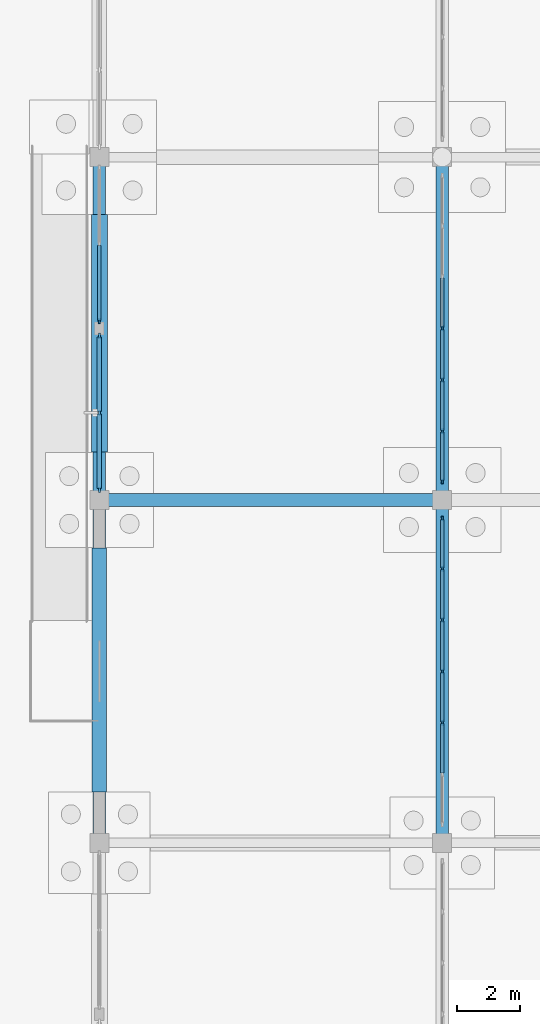
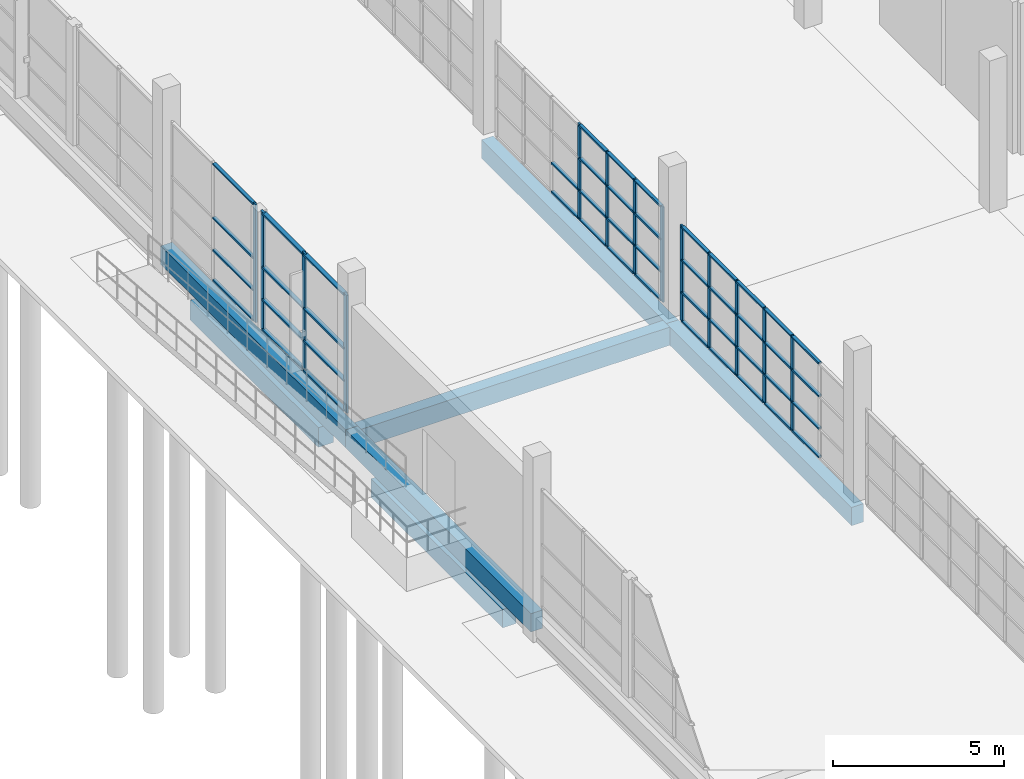
# One storey, part 24 of 138: 59 members, 7 beams, 4 elements without a shape of their own.
"""IFC4 building model written with IfcOpenShell, lengths in metres."""

from ifc_helpers import new_model, si_unit, direction, frame, origin, origin_2d, place, context, subcontext, project, spatial, rectangle, extrude, material, material_profile, profile_set, type_object, element, aggregate, save


model = new_model("IFC4")

# Units and contexts
model_context = context("Model", 3, precision=1e-05, world=origin(), true_north=direction((0.0, 1.0)))
body_context = subcontext(model_context, "Body", "Model", "MODEL_VIEW")
ifc_project = project(units=[si_unit("LENGTHUNIT", "METRE"), si_unit("AREAUNIT", "SQUARE_METRE"), si_unit("VOLUMEUNIT", "CUBIC_METRE"), si_unit("PLANEANGLEUNIT", "RADIAN"), si_unit("MASSUNIT", "GRAM", prefix="KILO")], contexts=[model_context])

# Site, building, storey
site_placement = place(None, origin())
site = spatial("IfcSite", under=ifc_project, at=site_placement, CompositionType="ELEMENT")
building_placement = place(site_placement, origin())
building = spatial("IfcBuilding", under=site, at=building_placement, Name="Zwinboog Wholesale Market", CompositionType="ELEMENT")
storey_placement = place(building_placement, origin())
storey = spatial("IfcBuildingStorey", under=building, at=storey_placement, Name="L00", CompositionType="ELEMENT", Elevation=0.0)

# Beams
ifc_material_1 = material(Name="Precast concrete C45/55", Category="concrete")
ifc_material_profile_1 = material_profile(ifc_material_1, rectangle(XDim=0.39990234375, YDim=0.64990234375, at=origin_2d()), Name="PC 400x650")
ifc_profile_set_1 = profile_set([ifc_material_profile_1], Name="Precast concrete C45/55")
beam_type_1 = type_object("IfcBeamType", Name="BT-05", PredefinedType="BEAM", material=ifc_profile_set_1)
for number, where, z_axis, x_axis, name in (
    (1, (0.0, 54.0, -0.705078125), (1.0, 0.0, 0.0), (0.0, 1.0, 0.0), "BG-05 (BMG-L00-0000-0540-0069)"),
    (2, (0.0, 43.199951171875, -0.705078125), (0.0, 1.0, 0.0), (-1.0, 0.0, 0.0), "BG-05 (BMG-L00-0000-0432-0215)"),
    (3, (0.0, 54.0, -0.705078125), (0.0, 1.0, 0.0), (-1.0, 0.0, 0.0), "BG-05 (BMG-L00-0000-0540-0216)"),
    (4, (10.800048828125, 43.199951171875, -0.705078125), (0.0, 1.0, 0.0), (-1.0, 0.0, 0.0), "BG-05 (BMG-L00-0108-0432-0227)"),
    (5, (10.800048828125, 54.0, -0.705078125), (0.0, 1.0, 0.0), (-1.0, 0.0, 0.0), "BG-05 (BMG-L00-0108-0540-0228)"),
):
    element("IfcBeam", number, at=place(storey_placement, frame(where, z_axis=z_axis, x_axis=x_axis)), inside=storey, type_object=beam_type_1, Name=name, PredefinedType="BEAM", context=body_context, shape_type="SweptSolid", body=[
        extrude(rectangle(XDim=0.39990234375, YDim=0.64990234375, at=origin_2d()), origin(), (0.0, 0.0, 1.0), 10.800048828125),
    ])
ifc_material_2 = material(Name="Concrete C35/45", Category="concrete")
ifc_material_profile_2 = material_profile(ifc_material_2, rectangle(XDim=0.5, YDim=0.699951171875, at=origin_2d()), Name="RC 500x700")
ifc_profile_set_2 = profile_set([ifc_material_profile_2], Name="Concrete C35/45")
beam_type_2 = type_object("IfcBeamType", Name="BT-12", PredefinedType="USERDEFINED", material=ifc_profile_set_2)
beam_1_placement = place(storey_placement, frame((0.0, 55.5048828125, -1.550048828125), z_axis=(0.0, 1.0, 0.0), x_axis=(-1.0, 0.0, 0.0)))
element("IfcBeam", 6, at=beam_1_placement, inside=storey, type_object=beam_type_2, Name="GB-01 (BM-GB-0132)", ObjectType="GROUND_BEAM", PredefinedType="USERDEFINED", context=body_context, shape_type="SweptSolid", body=[
    extrude(rectangle(XDim=0.5, YDim=0.699951171875, at=origin_2d()), origin(), (0.0, 0.0, 1.0), 7.490234375),
])
ifc_material_profile_3 = material_profile(ifc_material_2, rectangle(XDim=0.449951171875, YDim=0.64990234375, at=origin_2d()), Name="RC 450x650")
ifc_profile_set_3 = profile_set([ifc_material_profile_3], Name="Concrete C35/45")
beam_type_3 = type_object("IfcBeamType", Name="BT-13", PredefinedType="USERDEFINED", material=ifc_profile_set_3)
beam_2_placement = place(storey_placement, frame((0.0, 44.804931640625, -1.52490234375), z_axis=(0.0, 1.0, 0.0), x_axis=(-1.0, 0.0, 0.0)))
element("IfcBeam", 7, at=beam_2_placement, inside=storey, type_object=beam_type_3, Name="GB-02 (BM-GB-0131)", ObjectType="GROUND_BEAM", PredefinedType="USERDEFINED", context=body_context, shape_type="SweptSolid", body=[
    extrude(rectangle(XDim=0.449951171875, YDim=0.64990234375, at=origin_2d()), origin(), (0.0, 0.0, 1.0), 7.690185546875),
])

# Curtain wall, members
ifc_material_3 = material(Name="Aluminium thermally broken curtain wall", Category="aluminium")
curtain_wall_type_1 = type_object("IfcCurtainWallType", Name="CWT-HALL-24", PredefinedType="USERDEFINED", material=ifc_material_3)
curtain_wall_1_placement = place(storey_placement, origin())
curtain_wall_1 = element("IfcCurtainWall", 8, at=curtain_wall_1_placement, inside=storey, type_object=curtain_wall_type_1, Name="CW-03 (CW-L00-009)", ObjectType="UNITIZED_CURTAIN_WALL", PredefinedType="USERDEFINED")
ifc_material_4 = material(Name="Aluminium EN AW-6060", Category="aluminium")
ifc_material_profile_4 = material_profile(ifc_material_4, rectangle(XDim=0.06494140625, YDim=0.179931640625, at=origin_2d()), Name="AL 65x180")
ifc_profile_set_4 = profile_set([ifc_material_profile_4], Name="Aluminium EN AW-6060")
member_type_1 = type_object("IfcMemberType", Name="CWM-65x180", PredefinedType="MULLION", material=ifc_profile_set_4)
member_1_placement = place(storey_placement, frame((0.0, 54.327392578125, 0.0), z_axis=(0.0, 0.0, 1.0), x_axis=(-1.0, 0.0, 0.0)))
member_1 = element("IfcMember", 9, at=member_1_placement, type_object=member_type_1, Name="CW-03 mullion 1", PredefinedType="MULLION", context=body_context, shape_type="SweptSolid", body=[
    extrude(rectangle(XDim=0.06494140625, YDim=0.179931640625, at=origin_2d()), origin(), (0.0, 0.0, 1.0), 4.197998046875),
])
member_2_placement = place(storey_placement, frame((0.0, 56.74755859375, 0.0), z_axis=(0.0, 0.0, 1.0), x_axis=(-1.0, 0.0, 0.0)))
member_2 = element("IfcMember", 10, at=member_2_placement, type_object=member_type_1, Name="CW-03 mullion 2", PredefinedType="MULLION", context=body_context, shape_type="SweptSolid", body=[
    extrude(rectangle(XDim=0.06494140625, YDim=0.179931640625, at=origin_2d()), origin(), (0.0, 0.0, 1.0), 4.197998046875),
])
member_3_placement = place(storey_placement, frame((0.0, 59.16748046875, 0.0), z_axis=(0.0, 0.0, 1.0), x_axis=(-1.0, 0.0, 0.0)))
member_3 = element("IfcMember", 11, at=member_3_placement, type_object=member_type_1, Name="CW-03 mullion 3", PredefinedType="MULLION", context=body_context, shape_type="SweptSolid", body=[
    extrude(rectangle(XDim=0.06494140625, YDim=0.179931640625, at=origin_2d()), origin(), (0.0, 0.0, 1.0), 4.197998046875),
])

# Curtain wall, member
curtain_wall_type_2 = type_object("IfcCurtainWallType", Name="CWT-GAL-16", PredefinedType="USERDEFINED", material=ifc_material_3)
curtain_wall_2_placement = place(storey_placement, origin())
curtain_wall_2 = element("IfcCurtainWall", 12, at=curtain_wall_2_placement, inside=storey, type_object=curtain_wall_type_2, Name="CW-04 (CW-L00-010)", ObjectType="UNITIZED_CURTAIN_WALL", PredefinedType="USERDEFINED")
ifc_material_profile_5 = material_profile(ifc_material_4, rectangle(XDim=0.06005859375, YDim=0.14990234375, at=origin_2d()), Name="AL 60x150")
ifc_profile_set_5 = profile_set([ifc_material_profile_5], Name="Aluminium EN AW-6060")
member_type_2 = type_object("IfcMemberType", Name="CWM-60x150", PredefinedType="MULLION", material=ifc_profile_set_5)
member_4_placement = place(storey_placement, frame((0.0, 59.6298828125, 0.0), z_axis=(0.0, 0.0, 1.0), x_axis=(-1.0, 0.0, 0.0)))
member_4 = element("IfcMember", 13, at=member_4_placement, type_object=member_type_2, Name="CW-04 mullion 1", PredefinedType="MULLION", context=body_context, shape_type="SweptSolid", body=[
    extrude(rectangle(XDim=0.06005859375, YDim=0.14990234375, at=origin_2d()), origin(), (0.0, 0.0, 1.0), 4.197998046875),
])

# Member
ifc_material_profile_6 = material_profile(ifc_material_4, rectangle(XDim=0.139892578125, YDim=0.06494140625, at=origin_2d()), Name="AL 65x140")
ifc_profile_set_6 = profile_set([ifc_material_profile_6], Name="Aluminium EN AW-6060")
member_type_3 = type_object("IfcMemberType", Name="CWT-65x140", PredefinedType="USERDEFINED", material=ifc_profile_set_6)
member_5_placement = place(storey_placement, frame((0.0, 54.360107421875, 0.032470703125), z_axis=(0.0, 1.0, 0.0), x_axis=(-1.0, 0.0, 0.0)))
member_5 = element("IfcMember", 14, at=member_5_placement, type_object=member_type_3, Name="CW-03 transom 1.1", ObjectType="TRANSOM", PredefinedType="USERDEFINED", context=body_context, shape_type="SweptSolid", body=[
    extrude(rectangle(XDim=0.139892578125, YDim=0.06494140625, at=origin_2d()), origin(), (0.0, 0.0, 1.0), 2.35498046875),
])

member_6_placement = place(storey_placement, frame((0.0, 54.360107421875, 1.10009765625), z_axis=(0.0, 1.0, 0.0), x_axis=(-1.0, 0.0, 0.0)))
member_6 = element("IfcMember", 15, at=member_6_placement, type_object=member_type_3, Name="CW-03 transom 1.2", ObjectType="TRANSOM", PredefinedType="USERDEFINED", context=body_context, shape_type="SweptSolid", body=[
    extrude(rectangle(XDim=0.139892578125, YDim=0.06494140625, at=origin_2d()), origin(), (0.0, 0.0, 1.0), 2.35498046875),
])

member_7_placement = place(storey_placement, frame((0.0, 54.360107421875, 2.25), z_axis=(0.0, 1.0, 0.0), x_axis=(-1.0, 0.0, 0.0)))
member_7 = element("IfcMember", 16, at=member_7_placement, type_object=member_type_3, Name="CW-03 transom 1.3", ObjectType="TRANSOM", PredefinedType="USERDEFINED", context=body_context, shape_type="SweptSolid", body=[
    extrude(rectangle(XDim=0.139892578125, YDim=0.06494140625, at=origin_2d()), origin(), (0.0, 0.0, 1.0), 2.35498046875),
])

member_8_placement = place(storey_placement, frame((0.0, 54.360107421875, 4.16552734375), z_axis=(0.0, 1.0, 0.0), x_axis=(-1.0, 0.0, 0.0)))
member_8 = element("IfcMember", 17, at=member_8_placement, type_object=member_type_3, Name="CW-03 transom 1.4", ObjectType="TRANSOM", PredefinedType="USERDEFINED", context=body_context, shape_type="SweptSolid", body=[
    extrude(rectangle(XDim=0.139892578125, YDim=0.06494140625, at=origin_2d()), origin(), (0.0, 0.0, 1.0), 2.35498046875),
])

member_9_placement = place(storey_placement, frame((0.0, 56.780029296875, 0.032470703125), z_axis=(0.0, 1.0, 0.0), x_axis=(-1.0, 0.0, 0.0)))
member_9 = element("IfcMember", 18, at=member_9_placement, type_object=member_type_3, Name="CW-03 transom 2.1", ObjectType="TRANSOM", PredefinedType="USERDEFINED", context=body_context, shape_type="SweptSolid", body=[
    extrude(rectangle(XDim=0.139892578125, YDim=0.06494140625, at=origin_2d()), origin(), (0.0, 0.0, 1.0), 2.35498046875),
])

member_10_placement = place(storey_placement, frame((0.0, 56.780029296875, 1.10009765625), z_axis=(0.0, 1.0, 0.0), x_axis=(-1.0, 0.0, 0.0)))
member_10 = element("IfcMember", 19, at=member_10_placement, type_object=member_type_3, Name="CW-03 transom 2.2", ObjectType="TRANSOM", PredefinedType="USERDEFINED", context=body_context, shape_type="SweptSolid", body=[
    extrude(rectangle(XDim=0.139892578125, YDim=0.06494140625, at=origin_2d()), origin(), (0.0, 0.0, 1.0), 2.35498046875),
])

member_11_placement = place(storey_placement, frame((0.0, 56.780029296875, 2.25), z_axis=(0.0, 1.0, 0.0), x_axis=(-1.0, 0.0, 0.0)))
member_11 = element("IfcMember", 20, at=member_11_placement, type_object=member_type_3, Name="CW-03 transom 2.3", ObjectType="TRANSOM", PredefinedType="USERDEFINED", context=body_context, shape_type="SweptSolid", body=[
    extrude(rectangle(XDim=0.139892578125, YDim=0.06494140625, at=origin_2d()), origin(), (0.0, 0.0, 1.0), 2.35498046875),
])

member_12_placement = place(storey_placement, frame((0.0, 56.780029296875, 4.16552734375), z_axis=(0.0, 1.0, 0.0), x_axis=(-1.0, 0.0, 0.0)))
member_12 = element("IfcMember", 21, at=member_12_placement, type_object=member_type_3, Name="CW-03 transom 2.4", ObjectType="TRANSOM", PredefinedType="USERDEFINED", context=body_context, shape_type="SweptSolid", body=[
    extrude(rectangle(XDim=0.139892578125, YDim=0.06494140625, at=origin_2d()), origin(), (0.0, 0.0, 1.0), 2.35498046875),
])

aggregate(curtain_wall_1, [member_1, member_2, member_3, member_5, member_6, member_7, member_8, member_9, member_10, member_11, member_12])

ifc_material_profile_7 = material_profile(ifc_material_4, rectangle(XDim=0.110107421875, YDim=0.06005859375, at=origin_2d()), Name="AL 60x110")
ifc_profile_set_7 = profile_set([ifc_material_profile_7], Name="Aluminium EN AW-6060")
member_type_4 = type_object("IfcMemberType", Name="CWT-60x110", PredefinedType="USERDEFINED", material=ifc_profile_set_7)
member_13_placement = place(storey_placement, frame((0.0, 59.659912109375, 0.030029296875), z_axis=(0.0, 1.0, 0.0), x_axis=(-1.0, 0.0, 0.0)))
member_13 = element("IfcMember", 22, at=member_13_placement, type_object=member_type_4, Name="CW-04 transom 1.1", ObjectType="TRANSOM", PredefinedType="USERDEFINED", context=body_context, shape_type="SweptSolid", body=[
    extrude(rectangle(XDim=0.110107421875, YDim=0.06005859375, at=origin_2d()), origin(), (0.0, 0.0, 1.0), 2.362548828125),
])

member_14_placement = place(storey_placement, frame((0.0, 59.659912109375, 1.10009765625), z_axis=(0.0, 1.0, 0.0), x_axis=(-1.0, 0.0, 0.0)))
member_14 = element("IfcMember", 23, at=member_14_placement, type_object=member_type_4, Name="CW-04 transom 1.2", ObjectType="TRANSOM", PredefinedType="USERDEFINED", context=body_context, shape_type="SweptSolid", body=[
    extrude(rectangle(XDim=0.110107421875, YDim=0.06005859375, at=origin_2d()), origin(), (0.0, 0.0, 1.0), 2.362548828125),
])

member_15_placement = place(storey_placement, frame((0.0, 59.659912109375, 2.25), z_axis=(0.0, 1.0, 0.0), x_axis=(-1.0, 0.0, 0.0)))
member_15 = element("IfcMember", 24, at=member_15_placement, type_object=member_type_4, Name="CW-04 transom 1.3", ObjectType="TRANSOM", PredefinedType="USERDEFINED", context=body_context, shape_type="SweptSolid", body=[
    extrude(rectangle(XDim=0.110107421875, YDim=0.06005859375, at=origin_2d()), origin(), (0.0, 0.0, 1.0), 2.362548828125),
])

member_16_placement = place(storey_placement, frame((0.0, 59.659912109375, 4.16796875), z_axis=(0.0, 1.0, 0.0), x_axis=(-1.0, 0.0, 0.0)))
member_16 = element("IfcMember", 25, at=member_16_placement, type_object=member_type_4, Name="CW-04 transom 1.4", ObjectType="TRANSOM", PredefinedType="USERDEFINED", context=body_context, shape_type="SweptSolid", body=[
    extrude(rectangle(XDim=0.110107421875, YDim=0.06005859375, at=origin_2d()), origin(), (0.0, 0.0, 1.0), 2.362548828125),
])

aggregate(curtain_wall_2, [member_4, member_13, member_14, member_15, member_16])

# Curtain wall, members
curtain_wall_type_3 = type_object("IfcCurtainWallType", Name="CWT-INT-STALL", PredefinedType="USERDEFINED", material=ifc_material_3)
curtain_wall_3_placement = place(storey_placement, origin())
curtain_wall_3 = element("IfcCurtainWall", 26, at=curtain_wall_3_placement, inside=storey, type_object=curtain_wall_type_3, Name="CW-07 (CW-STL-213)", ObjectType="STOREFRONT_GLAZING", PredefinedType="USERDEFINED")
ifc_material_profile_8 = material_profile(ifc_material_4, rectangle(XDim=0.06005859375, YDim=0.14990234375, at=origin_2d()), Name="AL 60x150")
ifc_profile_set_8 = profile_set([ifc_material_profile_8], Name="Aluminium EN AW-6060")
member_type_5 = type_object("IfcMemberType", Name="CWM-INT-60x120", PredefinedType="MULLION", material=ifc_profile_set_8)
member_17_placement = place(storey_placement, frame((10.800048828125, 46.9833984375, 0.0), z_axis=(0.0, 0.0, 1.0), x_axis=(-1.0, 0.0, 0.0)))
member_17 = element("IfcMember", 27, at=member_17_placement, type_object=member_type_5, Name="CW-07 mullion 3", PredefinedType="MULLION", context=body_context, shape_type="SweptSolid", body=[
    extrude(rectangle(XDim=0.06005859375, YDim=0.14990234375, at=origin_2d()), origin(), (0.0, 0.0, 1.0), 3.39990234375),
])
member_18_placement = place(storey_placement, frame((10.800048828125, 48.60009765625, 0.0), z_axis=(0.0, 0.0, 1.0), x_axis=(-1.0, 0.0, 0.0)))
member_18 = element("IfcMember", 28, at=member_18_placement, type_object=member_type_5, Name="CW-07 mullion 4", PredefinedType="MULLION", context=body_context, shape_type="SweptSolid", body=[
    extrude(rectangle(XDim=0.06005859375, YDim=0.14990234375, at=origin_2d()), origin(), (0.0, 0.0, 1.0), 3.39990234375),
])
member_19_placement = place(storey_placement, frame((10.800048828125, 50.216552734375, 0.0), z_axis=(0.0, 0.0, 1.0), x_axis=(-1.0, 0.0, 0.0)))
member_19 = element("IfcMember", 29, at=member_19_placement, type_object=member_type_5, Name="CW-07 mullion 5", PredefinedType="MULLION", context=body_context, shape_type="SweptSolid", body=[
    extrude(rectangle(XDim=0.06005859375, YDim=0.14990234375, at=origin_2d()), origin(), (0.0, 0.0, 1.0), 3.39990234375),
])
member_20_placement = place(storey_placement, frame((10.800048828125, 51.833251953125, 0.0), z_axis=(0.0, 0.0, 1.0), x_axis=(-1.0, 0.0, 0.0)))
member_20 = element("IfcMember", 30, at=member_20_placement, type_object=member_type_5, Name="CW-07 mullion 6", PredefinedType="MULLION", context=body_context, shape_type="SweptSolid", body=[
    extrude(rectangle(XDim=0.06005859375, YDim=0.14990234375, at=origin_2d()), origin(), (0.0, 0.0, 1.0), 3.39990234375),
])
member_21_placement = place(storey_placement, frame((10.800048828125, 53.419921875, 0.0), z_axis=(0.0, 0.0, 1.0), x_axis=(-1.0, 0.0, 0.0)))
member_21 = element("IfcMember", 31, at=member_21_placement, type_object=member_type_5, Name="CW-07 mullion 7", PredefinedType="MULLION", context=body_context, shape_type="SweptSolid", body=[
    extrude(rectangle(XDim=0.06005859375, YDim=0.14990234375, at=origin_2d()), origin(), (0.0, 0.0, 1.0), 3.39990234375),
])

curtain_wall_4_placement = place(storey_placement, origin())
curtain_wall_4 = element("IfcCurtainWall", 32, at=curtain_wall_4_placement, inside=storey, type_object=curtain_wall_type_3, Name="CW-07 (CW-STL-214)", ObjectType="STOREFRONT_GLAZING", PredefinedType="USERDEFINED")
member_22_placement = place(storey_placement, frame((10.800048828125, 54.580078125, 0.0), z_axis=(0.0, 0.0, 1.0), x_axis=(-1.0, 0.0, 0.0)))
member_22 = element("IfcMember", 33, at=member_22_placement, type_object=member_type_5, Name="CW-07 mullion 1", PredefinedType="MULLION", context=body_context, shape_type="SweptSolid", body=[
    extrude(rectangle(XDim=0.06005859375, YDim=0.14990234375, at=origin_2d()), origin(), (0.0, 0.0, 1.0), 3.39990234375),
])
member_23_placement = place(storey_placement, frame((10.800048828125, 56.166748046875, 0.0), z_axis=(0.0, 0.0, 1.0), x_axis=(-1.0, 0.0, 0.0)))
member_23 = element("IfcMember", 34, at=member_23_placement, type_object=member_type_5, Name="CW-07 mullion 2", PredefinedType="MULLION", context=body_context, shape_type="SweptSolid", body=[
    extrude(rectangle(XDim=0.06005859375, YDim=0.14990234375, at=origin_2d()), origin(), (0.0, 0.0, 1.0), 3.39990234375),
])
member_24_placement = place(storey_placement, frame((10.800048828125, 57.783447265625, 0.0), z_axis=(0.0, 0.0, 1.0), x_axis=(-1.0, 0.0, 0.0)))
member_24 = element("IfcMember", 35, at=member_24_placement, type_object=member_type_5, Name="CW-07 mullion 3", PredefinedType="MULLION", context=body_context, shape_type="SweptSolid", body=[
    extrude(rectangle(XDim=0.06005859375, YDim=0.14990234375, at=origin_2d()), origin(), (0.0, 0.0, 1.0), 3.39990234375),
])
member_25_placement = place(storey_placement, frame((10.800048828125, 59.39990234375, 0.0), z_axis=(0.0, 0.0, 1.0), x_axis=(-1.0, 0.0, 0.0)))
member_25 = element("IfcMember", 36, at=member_25_placement, type_object=member_type_5, Name="CW-07 mullion 4", PredefinedType="MULLION", context=body_context, shape_type="SweptSolid", body=[
    extrude(rectangle(XDim=0.06005859375, YDim=0.14990234375, at=origin_2d()), origin(), (0.0, 0.0, 1.0), 3.39990234375),
])

# Member
ifc_material_profile_9 = material_profile(ifc_material_4, rectangle(XDim=0.110107421875, YDim=0.06005859375, at=origin_2d()), Name="AL 60x110")
ifc_profile_set_9 = profile_set([ifc_material_profile_9], Name="Aluminium EN AW-6060")
member_type_6 = type_object("IfcMemberType", Name="CWT-INT-60x100", PredefinedType="USERDEFINED", material=ifc_profile_set_9)
member_26_placement = place(storey_placement, frame((10.800048828125, 45.396728515625, 0.030029296875), z_axis=(0.0, 1.0, 0.0), x_axis=(-1.0, 0.0, 0.0)))
member_26 = element("IfcMember", 37, at=member_26_placement, type_object=member_type_6, Name="CW-07 transom 2.1", ObjectType="TRANSOM", PredefinedType="USERDEFINED", context=body_context, shape_type="SweptSolid", body=[
    extrude(rectangle(XDim=0.110107421875, YDim=0.06005859375, at=origin_2d()), origin(), (0.0, 0.0, 1.0), 1.556640625),
])

member_27_placement = place(storey_placement, frame((10.800048828125, 45.396728515625, 1.050048828125), z_axis=(0.0, 1.0, 0.0), x_axis=(-1.0, 0.0, 0.0)))
member_27 = element("IfcMember", 38, at=member_27_placement, type_object=member_type_6, Name="CW-07 transom 2.2", ObjectType="TRANSOM", PredefinedType="USERDEFINED", context=body_context, shape_type="SweptSolid", body=[
    extrude(rectangle(XDim=0.110107421875, YDim=0.06005859375, at=origin_2d()), origin(), (0.0, 0.0, 1.0), 1.556640625),
])

member_28_placement = place(storey_placement, frame((10.800048828125, 45.396728515625, 2.199951171875), z_axis=(0.0, 1.0, 0.0), x_axis=(-1.0, 0.0, 0.0)))
member_28 = element("IfcMember", 39, at=member_28_placement, type_object=member_type_6, Name="CW-07 transom 2.3", ObjectType="TRANSOM", PredefinedType="USERDEFINED", context=body_context, shape_type="SweptSolid", body=[
    extrude(rectangle(XDim=0.110107421875, YDim=0.06005859375, at=origin_2d()), origin(), (0.0, 0.0, 1.0), 1.556640625),
])

member_29_placement = place(storey_placement, frame((10.800048828125, 45.396728515625, 3.3701171875), z_axis=(0.0, 1.0, 0.0), x_axis=(-1.0, 0.0, 0.0)))
member_29 = element("IfcMember", 40, at=member_29_placement, type_object=member_type_6, Name="CW-07 transom 2.4", ObjectType="TRANSOM", PredefinedType="USERDEFINED", context=body_context, shape_type="SweptSolid", body=[
    extrude(rectangle(XDim=0.110107421875, YDim=0.06005859375, at=origin_2d()), origin(), (0.0, 0.0, 1.0), 1.556640625),
])

member_30_placement = place(storey_placement, frame((10.800048828125, 47.013427734375, 0.030029296875), z_axis=(0.0, 1.0, 0.0), x_axis=(-1.0, 0.0, 0.0)))
member_30 = element("IfcMember", 41, at=member_30_placement, type_object=member_type_6, Name="CW-07 transom 3.1", ObjectType="TRANSOM", PredefinedType="USERDEFINED", context=body_context, shape_type="SweptSolid", body=[
    extrude(rectangle(XDim=0.110107421875, YDim=0.06005859375, at=origin_2d()), origin(), (0.0, 0.0, 1.0), 1.556640625),
])

member_31_placement = place(storey_placement, frame((10.800048828125, 47.013427734375, 1.050048828125), z_axis=(0.0, 1.0, 0.0), x_axis=(-1.0, 0.0, 0.0)))
member_31 = element("IfcMember", 42, at=member_31_placement, type_object=member_type_6, Name="CW-07 transom 3.2", ObjectType="TRANSOM", PredefinedType="USERDEFINED", context=body_context, shape_type="SweptSolid", body=[
    extrude(rectangle(XDim=0.110107421875, YDim=0.06005859375, at=origin_2d()), origin(), (0.0, 0.0, 1.0), 1.556640625),
])

member_32_placement = place(storey_placement, frame((10.800048828125, 47.013427734375, 2.199951171875), z_axis=(0.0, 1.0, 0.0), x_axis=(-1.0, 0.0, 0.0)))
member_32 = element("IfcMember", 43, at=member_32_placement, type_object=member_type_6, Name="CW-07 transom 3.3", ObjectType="TRANSOM", PredefinedType="USERDEFINED", context=body_context, shape_type="SweptSolid", body=[
    extrude(rectangle(XDim=0.110107421875, YDim=0.06005859375, at=origin_2d()), origin(), (0.0, 0.0, 1.0), 1.556640625),
])

member_33_placement = place(storey_placement, frame((10.800048828125, 47.013427734375, 3.3701171875), z_axis=(0.0, 1.0, 0.0), x_axis=(-1.0, 0.0, 0.0)))
member_33 = element("IfcMember", 44, at=member_33_placement, type_object=member_type_6, Name="CW-07 transom 3.4", ObjectType="TRANSOM", PredefinedType="USERDEFINED", context=body_context, shape_type="SweptSolid", body=[
    extrude(rectangle(XDim=0.110107421875, YDim=0.06005859375, at=origin_2d()), origin(), (0.0, 0.0, 1.0), 1.556640625),
])

member_34_placement = place(storey_placement, frame((10.800048828125, 48.6298828125, 0.030029296875), z_axis=(0.0, 1.0, 0.0), x_axis=(-1.0, 0.0, 0.0)))
member_34 = element("IfcMember", 45, at=member_34_placement, type_object=member_type_6, Name="CW-07 transom 4.1", ObjectType="TRANSOM", PredefinedType="USERDEFINED", context=body_context, shape_type="SweptSolid", body=[
    extrude(rectangle(XDim=0.110107421875, YDim=0.06005859375, at=origin_2d()), origin(), (0.0, 0.0, 1.0), 1.556884765625),
])

member_35_placement = place(storey_placement, frame((10.800048828125, 48.6298828125, 1.050048828125), z_axis=(0.0, 1.0, 0.0), x_axis=(-1.0, 0.0, 0.0)))
member_35 = element("IfcMember", 46, at=member_35_placement, type_object=member_type_6, Name="CW-07 transom 4.2", ObjectType="TRANSOM", PredefinedType="USERDEFINED", context=body_context, shape_type="SweptSolid", body=[
    extrude(rectangle(XDim=0.110107421875, YDim=0.06005859375, at=origin_2d()), origin(), (0.0, 0.0, 1.0), 1.556884765625),
])

member_36_placement = place(storey_placement, frame((10.800048828125, 48.6298828125, 2.199951171875), z_axis=(0.0, 1.0, 0.0), x_axis=(-1.0, 0.0, 0.0)))
member_36 = element("IfcMember", 47, at=member_36_placement, type_object=member_type_6, Name="CW-07 transom 4.3", ObjectType="TRANSOM", PredefinedType="USERDEFINED", context=body_context, shape_type="SweptSolid", body=[
    extrude(rectangle(XDim=0.110107421875, YDim=0.06005859375, at=origin_2d()), origin(), (0.0, 0.0, 1.0), 1.556884765625),
])

member_37_placement = place(storey_placement, frame((10.800048828125, 48.6298828125, 3.3701171875), z_axis=(0.0, 1.0, 0.0), x_axis=(-1.0, 0.0, 0.0)))
member_37 = element("IfcMember", 48, at=member_37_placement, type_object=member_type_6, Name="CW-07 transom 4.4", ObjectType="TRANSOM", PredefinedType="USERDEFINED", context=body_context, shape_type="SweptSolid", body=[
    extrude(rectangle(XDim=0.110107421875, YDim=0.06005859375, at=origin_2d()), origin(), (0.0, 0.0, 1.0), 1.556884765625),
])

member_38_placement = place(storey_placement, frame((10.800048828125, 50.24658203125, 0.030029296875), z_axis=(0.0, 1.0, 0.0), x_axis=(-1.0, 0.0, 0.0)))
member_38 = element("IfcMember", 49, at=member_38_placement, type_object=member_type_6, Name="CW-07 transom 5.1", ObjectType="TRANSOM", PredefinedType="USERDEFINED", context=body_context, shape_type="SweptSolid", body=[
    extrude(rectangle(XDim=0.110107421875, YDim=0.06005859375, at=origin_2d()), origin(), (0.0, 0.0, 1.0), 1.556640625),
])

member_39_placement = place(storey_placement, frame((10.800048828125, 50.24658203125, 1.050048828125), z_axis=(0.0, 1.0, 0.0), x_axis=(-1.0, 0.0, 0.0)))
member_39 = element("IfcMember", 50, at=member_39_placement, type_object=member_type_6, Name="CW-07 transom 5.2", ObjectType="TRANSOM", PredefinedType="USERDEFINED", context=body_context, shape_type="SweptSolid", body=[
    extrude(rectangle(XDim=0.110107421875, YDim=0.06005859375, at=origin_2d()), origin(), (0.0, 0.0, 1.0), 1.556640625),
])

member_40_placement = place(storey_placement, frame((10.800048828125, 50.24658203125, 2.199951171875), z_axis=(0.0, 1.0, 0.0), x_axis=(-1.0, 0.0, 0.0)))
member_40 = element("IfcMember", 51, at=member_40_placement, type_object=member_type_6, Name="CW-07 transom 5.3", ObjectType="TRANSOM", PredefinedType="USERDEFINED", context=body_context, shape_type="SweptSolid", body=[
    extrude(rectangle(XDim=0.110107421875, YDim=0.06005859375, at=origin_2d()), origin(), (0.0, 0.0, 1.0), 1.556640625),
])

member_41_placement = place(storey_placement, frame((10.800048828125, 50.24658203125, 3.3701171875), z_axis=(0.0, 1.0, 0.0), x_axis=(-1.0, 0.0, 0.0)))
member_41 = element("IfcMember", 52, at=member_41_placement, type_object=member_type_6, Name="CW-07 transom 5.4", ObjectType="TRANSOM", PredefinedType="USERDEFINED", context=body_context, shape_type="SweptSolid", body=[
    extrude(rectangle(XDim=0.110107421875, YDim=0.06005859375, at=origin_2d()), origin(), (0.0, 0.0, 1.0), 1.556640625),
])

member_42_placement = place(storey_placement, frame((10.800048828125, 51.86328125, 0.030029296875), z_axis=(0.0, 1.0, 0.0), x_axis=(-1.0, 0.0, 0.0)))
member_42 = element("IfcMember", 53, at=member_42_placement, type_object=member_type_6, Name="CW-07 transom 6.1", ObjectType="TRANSOM", PredefinedType="USERDEFINED", context=body_context, shape_type="SweptSolid", body=[
    extrude(rectangle(XDim=0.110107421875, YDim=0.06005859375, at=origin_2d()), origin(), (0.0, 0.0, 1.0), 1.526611328125),
])

member_43_placement = place(storey_placement, frame((10.800048828125, 51.86328125, 1.050048828125), z_axis=(0.0, 1.0, 0.0), x_axis=(-1.0, 0.0, 0.0)))
member_43 = element("IfcMember", 54, at=member_43_placement, type_object=member_type_6, Name="CW-07 transom 6.2", ObjectType="TRANSOM", PredefinedType="USERDEFINED", context=body_context, shape_type="SweptSolid", body=[
    extrude(rectangle(XDim=0.110107421875, YDim=0.06005859375, at=origin_2d()), origin(), (0.0, 0.0, 1.0), 1.526611328125),
])

member_44_placement = place(storey_placement, frame((10.800048828125, 51.86328125, 2.199951171875), z_axis=(0.0, 1.0, 0.0), x_axis=(-1.0, 0.0, 0.0)))
member_44 = element("IfcMember", 55, at=member_44_placement, type_object=member_type_6, Name="CW-07 transom 6.3", ObjectType="TRANSOM", PredefinedType="USERDEFINED", context=body_context, shape_type="SweptSolid", body=[
    extrude(rectangle(XDim=0.110107421875, YDim=0.06005859375, at=origin_2d()), origin(), (0.0, 0.0, 1.0), 1.526611328125),
])

member_45_placement = place(storey_placement, frame((10.800048828125, 51.86328125, 3.3701171875), z_axis=(0.0, 1.0, 0.0), x_axis=(-1.0, 0.0, 0.0)))
member_45 = element("IfcMember", 56, at=member_45_placement, type_object=member_type_6, Name="CW-07 transom 6.4", ObjectType="TRANSOM", PredefinedType="USERDEFINED", context=body_context, shape_type="SweptSolid", body=[
    extrude(rectangle(XDim=0.110107421875, YDim=0.06005859375, at=origin_2d()), origin(), (0.0, 0.0, 1.0), 1.526611328125),
])

aggregate(curtain_wall_3, [member_17, member_18, member_19, member_20, member_21, member_26, member_27, member_28, member_29, member_30, member_31, member_32, member_33, member_34, member_35, member_36, member_37, member_38, member_39, member_40, member_41, member_42, member_43, member_44, member_45])

member_46_placement = place(storey_placement, frame((10.800048828125, 54.610107421875, 0.030029296875), z_axis=(0.0, 1.0, 0.0), x_axis=(-1.0, 0.0, 0.0)))
member_46 = element("IfcMember", 57, at=member_46_placement, type_object=member_type_6, Name="CW-07 transom 1.1", ObjectType="TRANSOM", PredefinedType="USERDEFINED", context=body_context, shape_type="SweptSolid", body=[
    extrude(rectangle(XDim=0.110107421875, YDim=0.06005859375, at=origin_2d()), origin(), (0.0, 0.0, 1.0), 1.526611328125),
])

member_47_placement = place(storey_placement, frame((10.800048828125, 54.610107421875, 1.050048828125), z_axis=(0.0, 1.0, 0.0), x_axis=(-1.0, 0.0, 0.0)))
member_47 = element("IfcMember", 58, at=member_47_placement, type_object=member_type_6, Name="CW-07 transom 1.2", ObjectType="TRANSOM", PredefinedType="USERDEFINED", context=body_context, shape_type="SweptSolid", body=[
    extrude(rectangle(XDim=0.110107421875, YDim=0.06005859375, at=origin_2d()), origin(), (0.0, 0.0, 1.0), 1.526611328125),
])

member_48_placement = place(storey_placement, frame((10.800048828125, 54.610107421875, 2.199951171875), z_axis=(0.0, 1.0, 0.0), x_axis=(-1.0, 0.0, 0.0)))
member_48 = element("IfcMember", 59, at=member_48_placement, type_object=member_type_6, Name="CW-07 transom 1.3", ObjectType="TRANSOM", PredefinedType="USERDEFINED", context=body_context, shape_type="SweptSolid", body=[
    extrude(rectangle(XDim=0.110107421875, YDim=0.06005859375, at=origin_2d()), origin(), (0.0, 0.0, 1.0), 1.526611328125),
])

member_49_placement = place(storey_placement, frame((10.800048828125, 54.610107421875, 3.3701171875), z_axis=(0.0, 1.0, 0.0), x_axis=(-1.0, 0.0, 0.0)))
member_49 = element("IfcMember", 60, at=member_49_placement, type_object=member_type_6, Name="CW-07 transom 1.4", ObjectType="TRANSOM", PredefinedType="USERDEFINED", context=body_context, shape_type="SweptSolid", body=[
    extrude(rectangle(XDim=0.110107421875, YDim=0.06005859375, at=origin_2d()), origin(), (0.0, 0.0, 1.0), 1.526611328125),
])

member_50_placement = place(storey_placement, frame((10.800048828125, 56.19677734375, 0.030029296875), z_axis=(0.0, 1.0, 0.0), x_axis=(-1.0, 0.0, 0.0)))
member_50 = element("IfcMember", 61, at=member_50_placement, type_object=member_type_6, Name="CW-07 transom 2.1", ObjectType="TRANSOM", PredefinedType="USERDEFINED", context=body_context, shape_type="SweptSolid", body=[
    extrude(rectangle(XDim=0.110107421875, YDim=0.06005859375, at=origin_2d()), origin(), (0.0, 0.0, 1.0), 1.556640625),
])

member_51_placement = place(storey_placement, frame((10.800048828125, 56.19677734375, 1.050048828125), z_axis=(0.0, 1.0, 0.0), x_axis=(-1.0, 0.0, 0.0)))
member_51 = element("IfcMember", 62, at=member_51_placement, type_object=member_type_6, Name="CW-07 transom 2.2", ObjectType="TRANSOM", PredefinedType="USERDEFINED", context=body_context, shape_type="SweptSolid", body=[
    extrude(rectangle(XDim=0.110107421875, YDim=0.06005859375, at=origin_2d()), origin(), (0.0, 0.0, 1.0), 1.556640625),
])

member_52_placement = place(storey_placement, frame((10.800048828125, 56.19677734375, 2.199951171875), z_axis=(0.0, 1.0, 0.0), x_axis=(-1.0, 0.0, 0.0)))
member_52 = element("IfcMember", 63, at=member_52_placement, type_object=member_type_6, Name="CW-07 transom 2.3", ObjectType="TRANSOM", PredefinedType="USERDEFINED", context=body_context, shape_type="SweptSolid", body=[
    extrude(rectangle(XDim=0.110107421875, YDim=0.06005859375, at=origin_2d()), origin(), (0.0, 0.0, 1.0), 1.556640625),
])

member_53_placement = place(storey_placement, frame((10.800048828125, 56.19677734375, 3.3701171875), z_axis=(0.0, 1.0, 0.0), x_axis=(-1.0, 0.0, 0.0)))
member_53 = element("IfcMember", 64, at=member_53_placement, type_object=member_type_6, Name="CW-07 transom 2.4", ObjectType="TRANSOM", PredefinedType="USERDEFINED", context=body_context, shape_type="SweptSolid", body=[
    extrude(rectangle(XDim=0.110107421875, YDim=0.06005859375, at=origin_2d()), origin(), (0.0, 0.0, 1.0), 1.556640625),
])

member_54_placement = place(storey_placement, frame((10.800048828125, 57.813232421875, 0.030029296875), z_axis=(0.0, 1.0, 0.0), x_axis=(-1.0, 0.0, 0.0)))
member_54 = element("IfcMember", 65, at=member_54_placement, type_object=member_type_6, Name="CW-07 transom 3.1", ObjectType="TRANSOM", PredefinedType="USERDEFINED", context=body_context, shape_type="SweptSolid", body=[
    extrude(rectangle(XDim=0.110107421875, YDim=0.06005859375, at=origin_2d()), origin(), (0.0, 0.0, 1.0), 1.556884765625),
])

member_55_placement = place(storey_placement, frame((10.800048828125, 57.813232421875, 1.050048828125), z_axis=(0.0, 1.0, 0.0), x_axis=(-1.0, 0.0, 0.0)))
member_55 = element("IfcMember", 66, at=member_55_placement, type_object=member_type_6, Name="CW-07 transom 3.2", ObjectType="TRANSOM", PredefinedType="USERDEFINED", context=body_context, shape_type="SweptSolid", body=[
    extrude(rectangle(XDim=0.110107421875, YDim=0.06005859375, at=origin_2d()), origin(), (0.0, 0.0, 1.0), 1.556884765625),
])

member_56_placement = place(storey_placement, frame((10.800048828125, 57.813232421875, 2.199951171875), z_axis=(0.0, 1.0, 0.0), x_axis=(-1.0, 0.0, 0.0)))
member_56 = element("IfcMember", 67, at=member_56_placement, type_object=member_type_6, Name="CW-07 transom 3.3", ObjectType="TRANSOM", PredefinedType="USERDEFINED", context=body_context, shape_type="SweptSolid", body=[
    extrude(rectangle(XDim=0.110107421875, YDim=0.06005859375, at=origin_2d()), origin(), (0.0, 0.0, 1.0), 1.556884765625),
])

member_57_placement = place(storey_placement, frame((10.800048828125, 57.813232421875, 3.3701171875), z_axis=(0.0, 1.0, 0.0), x_axis=(-1.0, 0.0, 0.0)))
member_57 = element("IfcMember", 68, at=member_57_placement, type_object=member_type_6, Name="CW-07 transom 3.4", ObjectType="TRANSOM", PredefinedType="USERDEFINED", context=body_context, shape_type="SweptSolid", body=[
    extrude(rectangle(XDim=0.110107421875, YDim=0.06005859375, at=origin_2d()), origin(), (0.0, 0.0, 1.0), 1.556884765625),
])

member_58_placement = place(storey_placement, frame((10.800048828125, 59.429931640625, 0.030029296875), z_axis=(0.0, 1.0, 0.0), x_axis=(-1.0, 0.0, 0.0)))
member_58 = element("IfcMember", 69, at=member_58_placement, type_object=member_type_6, Name="CW-07 transom 4.1", ObjectType="TRANSOM", PredefinedType="USERDEFINED", context=body_context, shape_type="SweptSolid", body=[
    extrude(rectangle(XDim=0.110107421875, YDim=0.06005859375, at=origin_2d()), origin(), (0.0, 0.0, 1.0), 1.556640625),
])

member_59_placement = place(storey_placement, frame((10.800048828125, 59.429931640625, 1.050048828125), z_axis=(0.0, 1.0, 0.0), x_axis=(-1.0, 0.0, 0.0)))
member_59 = element("IfcMember", 70, at=member_59_placement, type_object=member_type_6, Name="CW-07 transom 4.2", ObjectType="TRANSOM", PredefinedType="USERDEFINED", context=body_context, shape_type="SweptSolid", body=[
    extrude(rectangle(XDim=0.110107421875, YDim=0.06005859375, at=origin_2d()), origin(), (0.0, 0.0, 1.0), 1.556640625),
])

aggregate(curtain_wall_4, [member_22, member_23, member_24, member_25, member_46, member_47, member_48, member_49, member_50, member_51, member_52, member_53, member_54, member_55, member_56, member_57, member_58, member_59])

save(model, "model.ifc")
